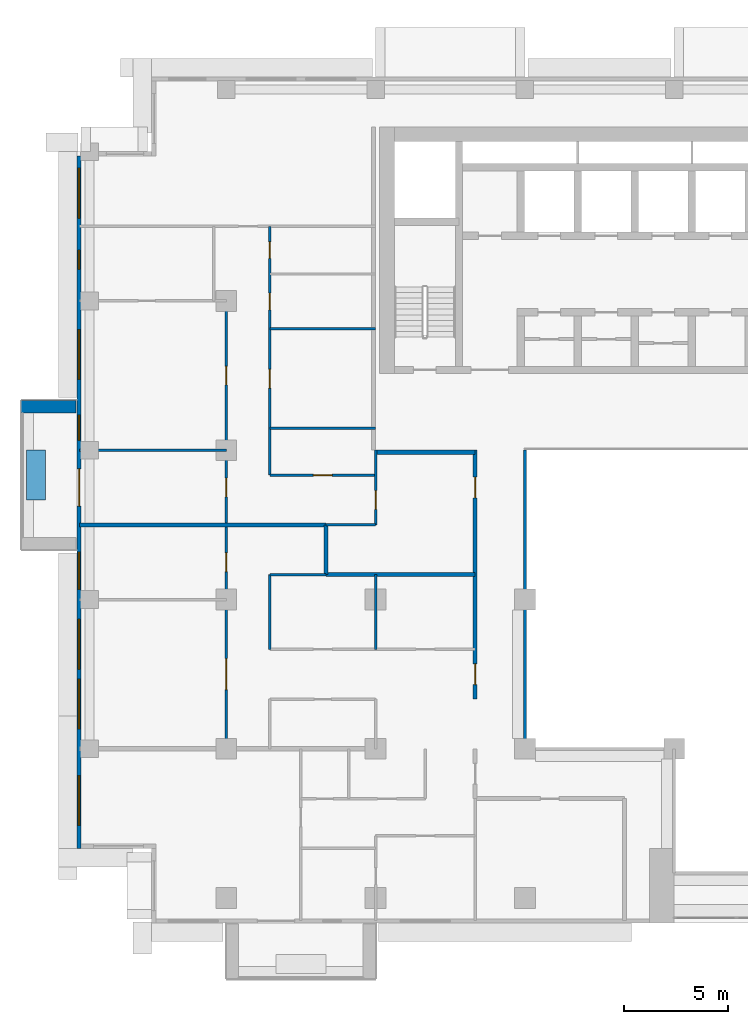
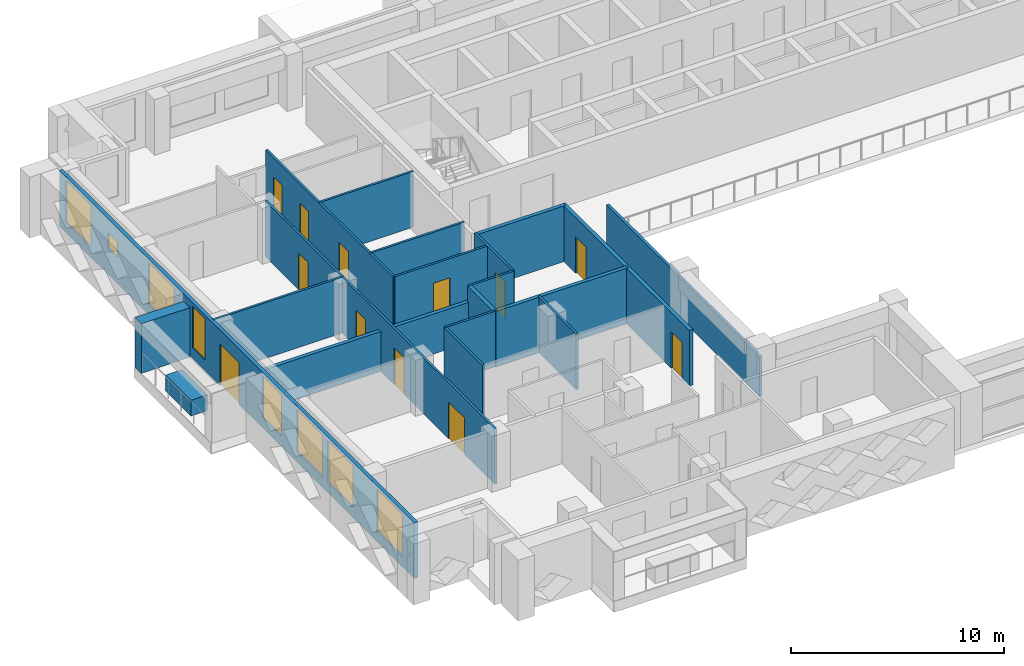
# One storey, part 7 of 19: 20 walls, 12 doors, 8 windows, 20 openings.
"""IFC4 building model written with IfcOpenShell, lengths in metres."""

from ifc_helpers import new_model, si_unit, direction, frame, frame_2d, origin, place, context, subcontext, project, spatial, rectangle, extrude, material, layer, layer_set, type_object, element, fill, save


model = new_model("IFC4")

# Units and contexts
model_context = context("Model", 3, precision=1e-05, world=origin(), true_north=direction((0.0, 1.0)))
body_context = subcontext(model_context, "Body", "Model", "MODEL_VIEW")
ifc_project = project(units=[si_unit("LENGTHUNIT", "METRE"), si_unit("AREAUNIT", "SQUARE_METRE"), si_unit("VOLUMEUNIT", "CUBIC_METRE"), si_unit("PLANEANGLEUNIT", "RADIAN"), si_unit("MASSUNIT", "GRAM", prefix="KILO")], contexts=[model_context])

# Site, building, storey
site_placement = place(None, origin())
site = spatial("IfcSite", under=ifc_project, at=site_placement, CompositionType="ELEMENT")
building_placement = place(site_placement, origin())
building = spatial("IfcBuilding", under=site, at=building_placement, Name="Saffron Iwan Residences", CompositionType="ELEMENT")
storey_placement = place(building_placement, frame((0.0, 0.0, 160.5)))
storey = spatial("IfcBuildingStorey", under=building, at=storey_placement, Name="L42", CompositionType="ELEMENT", Elevation=160.5)

# Walls
ifc_material_1 = material(Name="Fire-rated glazing", Category="glass")
ifc_layer_1 = layer(ifc_material_1, 0.14990234375)
ifc_layer_set_1 = layer_set([ifc_layer_1], Name="Fire-rated glazing")
wall_type_1 = type_object("IfcWallType", Name="Atrium glazed screen 150", PredefinedType="SOLIDWALL", material=ifc_layer_set_1)
wall_1_placement = place(storey_placement, frame((36.0, 48.0, 0.0), z_axis=(0.0, 0.0, 1.0), x_axis=(0.0, 1.0, 0.0)))
element("IfcWall", 1, at=wall_1_placement, inside=storey, type_object=wall_type_1, Name="W-L42-SCREEN-v36-48", PredefinedType="SOLIDWALL", context=body_context, shape_type="SweptSolid", body=[
    extrude(rectangle(XDim=14.39990234375, YDim=0.14990234375, at=frame_2d((7.199951171875, 0.0))), origin(), (0.0, 0.0, 1.0), 2.300048828125),
])
ifc_material_2 = material(Name="Concrete C50/60 white painted", Category="concrete")
ifc_layer_2 = layer(ifc_material_2, 0.60009765625)
ifc_layer_set_2 = layer_set([ifc_layer_2], Name="Concrete C50/60 white painted")
wall_type_2 = type_object("IfcWallType", Name="BALCONY FIN 600", PredefinedType="SOLIDWALL", material=ifc_layer_set_2)
wall_2_placement = place(storey_placement, frame((14.35009765625, 64.5, 0.0), z_axis=(0.0, 0.0, 1.0), x_axis=(-1.0, 0.0, 0.0)))
element("IfcWall", 2, at=wall_2_placement, inside=storey, type_object=wall_type_2, Name="Balcony fin L42 F8-0a", PredefinedType="SOLIDWALL", context=body_context, shape_type="SweptSolid", body=[
    extrude(rectangle(XDim=2.650146484375, YDim=0.60009765625, at=frame_2d((1.3251953125, 0.0))), origin(), (0.0, 0.0, 1.0), 2.85009765625),
])
ifc_material_3 = material(Name="Concrete C35/45 white painted", Category="concrete")
ifc_layer_3 = layer(ifc_material_3, 0.14990234375)
ifc_layer_set_3 = layer_set([ifc_layer_3], Name="Concrete C35/45 white painted")
wall_type_3 = type_object("IfcWallType", Name="BALCONY PLANTER", PredefinedType="SOLIDWALL", material=ifc_layer_set_3)
wall_3_placement = place(storey_placement, frame((12.425048828125, 62.39990234375, 0.0), z_axis=(0.0, 0.0, 1.0), x_axis=(0.0, -1.0, 0.0)))
element("IfcWall", 3, at=wall_3_placement, inside=storey, type_object=wall_type_3, Name="PLANTER L42 F8-0", PredefinedType="SOLIDWALL", context=body_context, shape_type="SweptSolid", body=[
    extrude(rectangle(XDim=2.39990234375, YDim=0.89990234375, at=frame_2d((1.199951171875, 0.0))), origin(), (0.0, 0.0, 1.0), 0.89990234375),
])

# Wall, openings, door, windows
ifc_material_4 = material(Name="Concrete C40/50", Category="concrete")
ifc_layer_4 = layer(ifc_material_4, 0.199951171875)
ifc_layer_set_4 = layer_set([ifc_layer_4], Name="Concrete C40/50")
wall_type_4 = type_object("IfcWallType", Name="EXTERNAL WALL 200", PredefinedType="SOLIDWALL", material=ifc_layer_set_4)
wall_4_placement = place(storey_placement, frame((14.5, 76.60009765625, 0.0), z_axis=(0.0, 0.0, 1.0), x_axis=(0.0, -1.0, 0.0)))
wall_4 = element("IfcWall", 4, at=wall_4_placement, inside=storey, type_object=wall_type_4, Name="External wall L42 F8.0", PredefinedType="SOLIDWALL", context=body_context, shape_type="SweptSolid", body=[
    extrude(rectangle(XDim=33.400146484375, YDim=0.199951171875, at=frame_2d((16.7001953125, 0.0))), origin(), (0.0, 0.0, 1.0), 3.199951171875),
])
opening_1_placement = place(wall_4_placement, frame((15.10009765625, 0.0, 0.0)))
opening_1 = element("IfcOpeningElement", 5, at=opening_1_placement, cuts=wall_4, Name="Opening BD1", PredefinedType="OPENING", context=body_context, shape_type="SweptSolid", body=[
    extrude(rectangle(XDim=1.800048828125, YDim=2.39990234375, at=frame_2d((0.89990234375, 1.199951171875))), frame((0.0, 0.10986328125, 0.0), z_axis=(0.0, -1.0, 0.0), x_axis=(1.0, 0.0, 0.0)), (0.0, 0.0, 1.0), 0.219970703125),
])
opening_2_placement = place(wall_4_placement, frame((29.887451171875, 0.0, 0.60009765625)))
opening_2 = element("IfcOpeningElement", 6, at=opening_2_placement, cuts=wall_4, Name="Opening W1", PredefinedType="OPENING", context=body_context, shape_type="SweptSolid", body=[
    extrude(rectangle(XDim=2.39990234375, YDim=2.39990234375, at=frame_2d((1.199951171875, 1.199951171875))), frame((0.0, 0.10986328125, 0.0), z_axis=(0.0, -1.0, 0.0), x_axis=(1.0, 0.0, 0.0)), (0.0, 0.0, 1.0), 0.219970703125),
])
opening_3_placement = place(wall_4_placement, frame((22.3583984375, 0.0, 0.60009765625)))
opening_3 = element("IfcOpeningElement", 7, at=opening_3_placement, cuts=wall_4, Name="Opening W1", PredefinedType="OPENING", context=body_context, shape_type="SweptSolid", body=[
    extrude(rectangle(XDim=2.39990234375, YDim=2.39990234375, at=frame_2d((1.199951171875, 1.199951171875))), frame((0.0, 0.10986328125, 0.0), z_axis=(0.0, -1.0, 0.0), x_axis=(1.0, 0.0, 0.0)), (0.0, 0.0, 1.0), 0.219970703125),
])
opening_4_placement = place(wall_4_placement, frame((25.24169921875, 0.0, 0.60009765625)))
opening_4 = element("IfcOpeningElement", 8, at=opening_4_placement, cuts=wall_4, Name="Opening W1", PredefinedType="OPENING", context=body_context, shape_type="SweptSolid", body=[
    extrude(rectangle(XDim=2.39990234375, YDim=2.39990234375, at=frame_2d((1.199951171875, 1.199951171875))), frame((0.0, 0.10986328125, 0.0), z_axis=(0.0, -1.0, 0.0), x_axis=(1.0, 0.0, 0.0)), (0.0, 0.0, 1.0), 0.219970703125),
])
opening_5_placement = place(wall_4_placement, frame((19.112548828125, 0.0, 0.60009765625)))
opening_5 = element("IfcOpeningElement", 9, at=opening_5_placement, cuts=wall_4, Name="Opening W8", PredefinedType="OPENING", context=body_context, shape_type="SweptSolid", body=[
    extrude(rectangle(XDim=1.800048828125, YDim=2.39990234375, at=frame_2d((0.89990234375, 1.199951171875))), frame((0.0, 0.10986328125, 0.0), z_axis=(0.0, -1.0, 0.0), x_axis=(1.0, 0.0, 0.0)), (0.0, 0.0, 1.0), 0.219970703125),
])
opening_6_placement = place(wall_4_placement, frame((8.387451171875, 0.0, 0.60009765625)))
opening_6 = element("IfcOpeningElement", 10, at=opening_6_placement, cuts=wall_4, Name="Opening W1", PredefinedType="OPENING", context=body_context, shape_type="SweptSolid", body=[
    extrude(rectangle(XDim=2.39990234375, YDim=2.39990234375, at=frame_2d((1.199951171875, 1.199951171875))), frame((0.0, 0.10986328125, 0.0), z_axis=(0.0, -1.0, 0.0), x_axis=(1.0, 0.0, 0.0)), (0.0, 0.0, 1.0), 0.219970703125),
])
opening_7_placement = place(wall_4_placement, frame((12.512451171875, 0.0, 0.60009765625)))
opening_7 = element("IfcOpeningElement", 11, at=opening_7_placement, cuts=wall_4, Name="Opening W3", PredefinedType="OPENING", context=body_context, shape_type="SweptSolid", body=[
    extrude(rectangle(XDim=1.199951171875, YDim=2.39990234375, at=frame_2d((0.60009765625, 1.199951171875))), frame((0.0, 0.10986328125, 0.0), z_axis=(0.0, -1.0, 0.0), x_axis=(1.0, 0.0, 0.0)), (0.0, 0.0, 1.0), 0.219970703125),
])
opening_8_placement = place(wall_4_placement, frame((4.5625, 0.0, 1.5)))
opening_8 = element("IfcOpeningElement", 12, at=opening_8_placement, cuts=wall_4, Name="Opening W6", PredefinedType="OPENING", context=body_context, shape_type="SweptSolid", body=[
    extrude(rectangle(XDim=0.89990234375, YDim=0.89990234375, at=frame_2d((0.449951171875, 0.449951171875))), frame((0.0, 0.10986328125, 0.0), z_axis=(0.0, -1.0, 0.0), x_axis=(1.0, 0.0, 0.0)), (0.0, 0.0, 1.0), 0.219970703125),
])
opening_9_placement = place(wall_4_placement, frame((0.60009765625, 0.0, 0.60009765625)))
opening_9 = element("IfcOpeningElement", 13, at=opening_9_placement, cuts=wall_4, Name="Opening W1", PredefinedType="OPENING", context=body_context, shape_type="SweptSolid", body=[
    extrude(rectangle(XDim=2.39990234375, YDim=2.39990234375, at=frame_2d((1.199951171875, 1.199951171875))), frame((0.0, 0.10986328125, 0.0), z_axis=(0.0, -1.0, 0.0), x_axis=(1.0, 0.0, 0.0)), (0.0, 0.0, 1.0), 0.219970703125),
])
ifc_material_5 = material(Name="Clear glass, laminated double glazed", Category="glass")
door_type_1 = type_object("IfcDoorType", Name="BALCONY DOOR 1800 x 2400", OperationType="DOUBLE_DOOR_SLIDING", PredefinedType="DOOR", material=ifc_material_5)
door_1_placement = place(opening_1_placement, origin())
door_1 = element("IfcDoor", 14, at=door_1_placement, inside=storey, type_object=door_type_1, Name="Balcony door L42 F8.0", OperationType="DOUBLE_DOOR_SLIDING", OverallHeight=2.39990234375, OverallWidth=1.800048828125, PredefinedType="DOOR", context=body_context, shape_type="SweptSolid", body=[
    extrude(rectangle(XDim=1.800048828125, YDim=2.39990234375, at=frame_2d((0.89990234375, 1.199951171875))), frame((0.0, 0.02490234375, 0.0), z_axis=(0.0, -1.0, 0.0), x_axis=(1.0, 0.0, 0.0)), (0.0, 0.0, 1.0), 0.050048828125),
])
fill(opening_1, door_1)
window_type_1 = type_object("IfcWindowType", Name="WINDOW 1200 x 2400", PartitioningType="SINGLE_PANEL", PredefinedType="WINDOW", material=ifc_material_5)
window_1_placement = place(opening_7_placement, origin())
window_1 = element("IfcWindow", 15, at=window_1_placement, inside=storey, type_object=window_type_1, Name="Window L42 F8.6", OverallHeight=2.39990234375, OverallWidth=1.199951171875, PartitioningType="SINGLE_PANEL", PredefinedType="WINDOW", context=body_context, shape_type="SweptSolid", body=[
    extrude(rectangle(XDim=1.199951171875, YDim=2.39990234375, at=frame_2d((0.60009765625, 1.199951171875))), frame((0.0, 0.030029296875, 0.0), z_axis=(0.0, -1.0, 0.0), x_axis=(1.0, 0.0, 0.0)), (0.0, 0.0, 1.0), 0.06005859375),
])
fill(opening_7, window_1)
window_type_2 = type_object("IfcWindowType", Name="WINDOW 1800 x 2400", PartitioningType="DOUBLE_PANEL_VERTICAL", PredefinedType="WINDOW", material=ifc_material_5)
window_2_placement = place(opening_5_placement, origin())
window_2 = element("IfcWindow", 16, at=window_2_placement, inside=storey, type_object=window_type_2, Name="Window L42 F8.4", OverallHeight=2.39990234375, OverallWidth=1.800048828125, PartitioningType="DOUBLE_PANEL_VERTICAL", PredefinedType="WINDOW", context=body_context, shape_type="SweptSolid", body=[
    extrude(rectangle(XDim=1.800048828125, YDim=2.39990234375, at=frame_2d((0.89990234375, 1.199951171875))), frame((0.0, 0.030029296875, 0.0), z_axis=(0.0, -1.0, 0.0), x_axis=(1.0, 0.0, 0.0)), (0.0, 0.0, 1.0), 0.06005859375),
])
fill(opening_5, window_2)
window_type_3 = type_object("IfcWindowType", Name="WINDOW 2400 x 2400", PartitioningType="DOUBLE_PANEL_VERTICAL", PredefinedType="WINDOW", material=ifc_material_5)
window_3_placement = place(opening_2_placement, origin())
window_3 = element("IfcWindow", 17, at=window_3_placement, inside=storey, type_object=window_type_3, Name="Window L42 F8.1", OverallHeight=2.39990234375, OverallWidth=2.39990234375, PartitioningType="DOUBLE_PANEL_VERTICAL", PredefinedType="WINDOW", context=body_context, shape_type="SweptSolid", body=[
    extrude(rectangle(XDim=2.39990234375, YDim=2.39990234375, at=frame_2d((1.199951171875, 1.199951171875))), frame((0.0, 0.030029296875, 0.0), z_axis=(0.0, -1.0, 0.0), x_axis=(1.0, 0.0, 0.0)), (0.0, 0.0, 1.0), 0.06005859375),
])
fill(opening_2, window_3)
window_4_placement = place(opening_3_placement, origin())
window_4 = element("IfcWindow", 18, at=window_4_placement, inside=storey, type_object=window_type_3, Name="Window L42 F8.2", OverallHeight=2.39990234375, OverallWidth=2.39990234375, PartitioningType="DOUBLE_PANEL_VERTICAL", PredefinedType="WINDOW", context=body_context, shape_type="SweptSolid", body=[
    extrude(rectangle(XDim=2.39990234375, YDim=2.39990234375, at=frame_2d((1.199951171875, 1.199951171875))), frame((0.0, 0.030029296875, 0.0), z_axis=(0.0, -1.0, 0.0), x_axis=(1.0, 0.0, 0.0)), (0.0, 0.0, 1.0), 0.06005859375),
])
fill(opening_3, window_4)
window_5_placement = place(opening_4_placement, origin())
window_5 = element("IfcWindow", 19, at=window_5_placement, inside=storey, type_object=window_type_3, Name="Window L42 F8.3", OverallHeight=2.39990234375, OverallWidth=2.39990234375, PartitioningType="DOUBLE_PANEL_VERTICAL", PredefinedType="WINDOW", context=body_context, shape_type="SweptSolid", body=[
    extrude(rectangle(XDim=2.39990234375, YDim=2.39990234375, at=frame_2d((1.199951171875, 1.199951171875))), frame((0.0, 0.030029296875, 0.0), z_axis=(0.0, -1.0, 0.0), x_axis=(1.0, 0.0, 0.0)), (0.0, 0.0, 1.0), 0.06005859375),
])
fill(opening_4, window_5)
window_6_placement = place(opening_6_placement, origin())
window_6 = element("IfcWindow", 20, at=window_6_placement, inside=storey, type_object=window_type_3, Name="Window L42 F8.5", OverallHeight=2.39990234375, OverallWidth=2.39990234375, PartitioningType="DOUBLE_PANEL_VERTICAL", PredefinedType="WINDOW", context=body_context, shape_type="SweptSolid", body=[
    extrude(rectangle(XDim=2.39990234375, YDim=2.39990234375, at=frame_2d((1.199951171875, 1.199951171875))), frame((0.0, 0.030029296875, 0.0), z_axis=(0.0, -1.0, 0.0), x_axis=(1.0, 0.0, 0.0)), (0.0, 0.0, 1.0), 0.06005859375),
])
fill(opening_6, window_6)
window_7_placement = place(opening_9_placement, origin())
window_7 = element("IfcWindow", 21, at=window_7_placement, inside=storey, type_object=window_type_3, Name="Window L42 F8.8", OverallHeight=2.39990234375, OverallWidth=2.39990234375, PartitioningType="DOUBLE_PANEL_VERTICAL", PredefinedType="WINDOW", context=body_context, shape_type="SweptSolid", body=[
    extrude(rectangle(XDim=2.39990234375, YDim=2.39990234375, at=frame_2d((1.199951171875, 1.199951171875))), frame((0.0, 0.030029296875, 0.0), z_axis=(0.0, -1.0, 0.0), x_axis=(1.0, 0.0, 0.0)), (0.0, 0.0, 1.0), 0.06005859375),
])
fill(opening_9, window_7)
window_type_4 = type_object("IfcWindowType", Name="WINDOW 900 x 900 BATH", PartitioningType="SINGLE_PANEL", PredefinedType="WINDOW", material=ifc_material_5)
window_8_placement = place(opening_8_placement, origin())
window_8 = element("IfcWindow", 22, at=window_8_placement, inside=storey, type_object=window_type_4, Name="Window L42 F8.7", OverallHeight=0.89990234375, OverallWidth=0.89990234375, PartitioningType="SINGLE_PANEL", PredefinedType="WINDOW", context=body_context, shape_type="SweptSolid", body=[
    extrude(rectangle(XDim=0.89990234375, YDim=0.89990234375, at=frame_2d((0.449951171875, 0.449951171875))), frame((0.0, 0.030029296875, 0.0), z_axis=(0.0, -1.0, 0.0), x_axis=(1.0, 0.0, 0.0)), (0.0, 0.0, 1.0), 0.06005859375),
])
fill(opening_8, window_8)

# Walls
ifc_material_6 = material(Name="Fire-rated gypsum board wall")
ifc_layer_5 = layer(ifc_material_6, 0.199951171875)
ifc_layer_set_5 = layer_set([ifc_layer_5], Name="Fire-rated gypsum board wall")
wall_type_5 = type_object("IfcWallType", Name="Flat demising wall 200", PredefinedType="SOLIDWALL", material=ifc_layer_set_5)
wall_5_placement = place(storey_placement, frame((26.39990234375, 56.39990234375, 0.0), z_axis=(0.0, 0.0, 1.0), x_axis=(1.0, 0.0, 0.0)))
element("IfcWall", 23, at=wall_5_placement, inside=storey, type_object=wall_type_5, Name="W-L42-DEMISE-h56.4-26.4", PredefinedType="SOLIDWALL", context=body_context, shape_type="SweptSolid", body=[
    extrude(rectangle(XDim=7.2001953125, YDim=0.199951171875, at=frame_2d((3.60009765625, 0.0))), origin(), (0.0, 0.0, 1.0), 3.199951171875),
])
wall_6_placement = place(storey_placement, frame((14.52490234375, 58.800048828125, 0.0), z_axis=(0.0, 0.0, 1.0), x_axis=(1.0, 0.0, 0.0)))
element("IfcWall", 24, at=wall_6_placement, inside=storey, type_object=wall_type_5, Name="W-L42-DEMISE-h58.8-14.525", PredefinedType="SOLIDWALL", context=body_context, shape_type="SweptSolid", body=[
    extrude(rectangle(XDim=11.875, YDim=0.199951171875, at=frame_2d((5.9375, 0.0))), origin(), (0.0, 0.0, 1.0), 2.300048828125),
])
wall_7_placement = place(storey_placement, frame((26.39990234375, 56.39990234375, 0.0), z_axis=(0.0, 0.0, 1.0), x_axis=(0.0, 1.0, 0.0)))
element("IfcWall", 25, at=wall_7_placement, inside=storey, type_object=wall_type_5, Name="W-L42-DEMISE-v26.4-56.4", PredefinedType="SOLIDWALL", context=body_context, shape_type="SweptSolid", body=[
    extrude(rectangle(XDim=2.400146484375, YDim=0.199951171875, at=frame_2d((1.2001953125, 0.0))), origin(), (0.0, 0.0, 1.0), 3.199951171875),
])
ifc_material_7 = material(Name="Gypsum board partition")
ifc_layer_6 = layer(ifc_material_7, 0.1201171875)
ifc_layer_set_6 = layer_set([ifc_layer_6], Name="Gypsum board partition")
wall_type_6 = type_object("IfcWallType", Name="Flat partition 120", PredefinedType="PARTITIONING", material=ifc_layer_set_6)
wall_8_placement = place(storey_placement, frame((23.699951171875, 56.39990234375, 0.0), z_axis=(0.0, 0.0, 1.0), x_axis=(1.0, 0.0, 0.0)))
element("IfcWall", 26, at=wall_8_placement, inside=storey, type_object=wall_type_6, Name="W-L42-PART-h56.4-23.7", PredefinedType="PARTITIONING", context=body_context, shape_type="SweptSolid", body=[
    extrude(rectangle(XDim=2.699951171875, YDim=0.1201171875, at=frame_2d((1.35009765625, 0.0))), origin(), (0.0, 0.0, 1.0), 3.199951171875),
])
wall_9_placement = place(storey_placement, frame((26.39990234375, 58.800048828125, 0.0), z_axis=(0.0, 0.0, 1.0), x_axis=(1.0, 0.0, 0.0)))
element("IfcWall", 27, at=wall_9_placement, inside=storey, type_object=wall_type_6, Name="W-L42-PART-h58.8-26.4", PredefinedType="PARTITIONING", context=body_context, shape_type="SweptSolid", body=[
    extrude(rectangle(XDim=2.400146484375, YDim=0.1201171875, at=frame_2d((1.2001953125, 0.0))), origin(), (0.0, 0.0, 1.0), 3.199951171875),
])

# Wall, opening, door
wall_10_placement = place(storey_placement, frame((23.699951171875, 61.199951171875, 0.0), z_axis=(0.0, 0.0, 1.0), x_axis=(1.0, 0.0, 0.0)))
wall_10 = element("IfcWall", 28, at=wall_10_placement, inside=storey, type_object=wall_type_6, Name="W-L42-PART-h61.2-23.7", PredefinedType="PARTITIONING", context=body_context, shape_type="SweptSolid", body=[
    extrude(rectangle(XDim=5.10009765625, YDim=0.1201171875, at=frame_2d((2.550048828125, 0.0))), origin(), (0.0, 0.0, 1.0), 3.199951171875),
])
opening_10_placement = place(wall_10_placement, frame((2.10009765625, 0.0, 0.0)))
opening_10 = element("IfcOpeningElement", 29, at=opening_10_placement, cuts=wall_10, Name="Opening FD2", PredefinedType="OPENING", context=body_context, shape_type="SweptSolid", body=[
    extrude(rectangle(XDim=0.89990234375, YDim=2.10009765625, at=frame_2d((0.449951171875, 1.050048828125))), frame((0.0, 0.070068359375, 0.0), z_axis=(0.0, -1.0, 0.0), x_axis=(1.0, 0.0, 0.0)), (0.0, 0.0, 1.0), 0.14013671875),
])
ifc_material_8 = material(Name="Timber door", Category="wood")
door_type_2 = type_object("IfcDoorType", Name="Flat door 900", OperationType="NOTDEFINED", PredefinedType="DOOR", material=ifc_material_8)
door_2_placement = place(opening_10_placement, origin())
door_2 = element("IfcDoor", 30, at=door_2_placement, inside=storey, type_object=door_type_2, Name="Door L42-027", OperationType="SINGLE_SWING_LEFT", OverallHeight=2.10009765625, OverallWidth=0.89990234375, PredefinedType="DOOR", context=body_context, shape_type="SweptSolid", body=[
    extrude(rectangle(XDim=0.89990234375, YDim=2.10009765625, at=frame_2d((0.449951171875, 1.050048828125))), frame((0.0, 0.02490234375, 0.0), z_axis=(0.0, -1.0, 0.0), x_axis=(1.0, 0.0, 0.0)), (0.0, 0.0, 1.0), 0.050048828125),
])
fill(opening_10, door_2)

# Walls
wall_11_placement = place(storey_placement, frame((14.52490234375, 62.39990234375, 0.0), z_axis=(0.0, 0.0, 1.0), x_axis=(1.0, 0.0, 0.0)))
element("IfcWall", 31, at=wall_11_placement, inside=storey, type_object=wall_type_6, Name="W-L42-PART-h62.4-14.525", PredefinedType="PARTITIONING", context=body_context, shape_type="SweptSolid", body=[
    extrude(rectangle(XDim=7.0751953125, YDim=0.1201171875, at=frame_2d((3.53759765625, 0.0))), origin(), (0.0, 0.0, 1.0), 3.199951171875),
])
for number, where, z_axis, x_axis, name in (
    (32, (23.699951171875, 63.449951171875, 0.0), (0.0, 0.0, 1.0), (1.0, 0.0, 0.0), "W-L42-PART-h63.45-23.7"),
    (33, (23.699951171875, 68.25, 0.0), (0.0, 0.0, 1.0), (1.0, 0.0, 0.0), "W-L42-PART-h68.25-23.7"),
):
    element("IfcWall", number, at=place(storey_placement, frame(where, z_axis=z_axis, x_axis=x_axis)), inside=storey, type_object=wall_type_6, Name=name, PredefinedType="PARTITIONING", context=body_context, shape_type="SweptSolid", body=[
        extrude(rectangle(XDim=5.10009765625, YDim=0.1201171875, at=frame_2d((2.550048828125, 0.0))), origin(), (0.0, 0.0, 1.0), 3.199951171875),
    ])

# Wall, openings, doors
wall_12_placement = place(storey_placement, frame((21.60009765625, 48.0, 0.0), z_axis=(0.0, 0.0, 1.0), x_axis=(0.0, 1.0, 0.0)))
wall_12 = element("IfcWall", 34, at=wall_12_placement, inside=storey, type_object=wall_type_6, Name="W-L42-PART-v21.6-48", PredefinedType="PARTITIONING", context=body_context, shape_type="SweptSolid", body=[
    extrude(rectangle(XDim=21.60009765625, YDim=0.1201171875, at=frame_2d((10.800048828125, 0.0))), origin(), (0.0, 0.0, 1.0), 3.199951171875),
])
opening_11_placement = place(wall_12_placement, frame((2.85009765625, 0.0, 0.0)))
opening_11 = element("IfcOpeningElement", 35, at=opening_11_placement, cuts=wall_12, Name="Opening FD4", PredefinedType="OPENING", context=body_context, shape_type="SweptSolid", body=[
    extrude(rectangle(XDim=1.5, YDim=2.10009765625, at=frame_2d((0.75, 1.050048828125))), frame((0.0, 0.070068359375, 0.0), z_axis=(0.0, -1.0, 0.0), x_axis=(1.0, 0.0, 0.0)), (0.0, 0.0, 1.0), 0.14013671875),
])
opening_12_placement = place(wall_12_placement, frame((8.550048828125, 0.0, 0.0)))
opening_12 = element("IfcOpeningElement", 36, at=opening_12_placement, cuts=wall_12, Name="Opening FD2", PredefinedType="OPENING", context=body_context, shape_type="SweptSolid", body=[
    extrude(rectangle(XDim=0.89990234375, YDim=2.10009765625, at=frame_2d((0.449951171875, 1.050048828125))), frame((0.0, 0.070068359375, 0.0), z_axis=(0.0, -1.0, 0.0), x_axis=(1.0, 0.0, 0.0)), (0.0, 0.0, 1.0), 0.14013671875),
])
opening_13_placement = place(wall_12_placement, frame((12.14990234375, 0.0, 0.0)))
opening_13 = element("IfcOpeningElement", 37, at=opening_13_placement, cuts=wall_12, Name="Opening FD2", PredefinedType="OPENING", context=body_context, shape_type="SweptSolid", body=[
    extrude(rectangle(XDim=0.89990234375, YDim=2.10009765625, at=frame_2d((0.449951171875, 1.050048828125))), frame((0.0, 0.070068359375, 0.0), z_axis=(0.0, -1.0, 0.0), x_axis=(1.0, 0.0, 0.0)), (0.0, 0.0, 1.0), 0.14013671875),
])
opening_14_placement = place(wall_12_placement, frame((17.550048828125, 0.0, 0.0)))
opening_14 = element("IfcOpeningElement", 38, at=opening_14_placement, cuts=wall_12, Name="Opening FD2", PredefinedType="OPENING", context=body_context, shape_type="SweptSolid", body=[
    extrude(rectangle(XDim=0.89990234375, YDim=2.10009765625, at=frame_2d((0.449951171875, 1.050048828125))), frame((0.0, 0.070068359375, 0.0), z_axis=(0.0, -1.0, 0.0), x_axis=(1.0, 0.0, 0.0)), (0.0, 0.0, 1.0), 0.14013671875),
])
door_type_3 = type_object("IfcDoorType", Name="Double door 1500", OperationType="NOTDEFINED", PredefinedType="DOOR", material=ifc_material_8)
door_3_placement = place(opening_11_placement, origin())
door_3 = element("IfcDoor", 39, at=door_3_placement, inside=storey, type_object=door_type_3, Name="Door L42-009", OperationType="SINGLE_SWING_LEFT", OverallHeight=2.10009765625, OverallWidth=1.5, PredefinedType="DOOR", context=body_context, shape_type="SweptSolid", body=[
    extrude(rectangle(XDim=1.5, YDim=2.10009765625, at=frame_2d((0.75, 1.050048828125))), frame((0.0, 0.02490234375, 0.0), z_axis=(0.0, -1.0, 0.0), x_axis=(1.0, 0.0, 0.0)), (0.0, 0.0, 1.0), 0.050048828125),
])
fill(opening_11, door_3)
door_4_placement = place(opening_12_placement, origin())
door_4 = element("IfcDoor", 40, at=door_4_placement, inside=storey, type_object=door_type_2, Name="Door L42-010", OperationType="SINGLE_SWING_RIGHT", OverallHeight=2.10009765625, OverallWidth=0.89990234375, PredefinedType="DOOR", context=body_context, shape_type="SweptSolid", body=[
    extrude(rectangle(XDim=0.89990234375, YDim=2.10009765625, at=frame_2d((0.449951171875, 1.050048828125))), frame((0.0, 0.02490234375, 0.0), z_axis=(0.0, -1.0, 0.0), x_axis=(1.0, 0.0, 0.0)), (0.0, 0.0, 1.0), 0.050048828125),
])
fill(opening_12, door_4)
door_5_placement = place(opening_13_placement, origin())
door_5 = element("IfcDoor", 41, at=door_5_placement, inside=storey, type_object=door_type_2, Name="Door L42-023", OperationType="SINGLE_SWING_LEFT", OverallHeight=2.10009765625, OverallWidth=0.89990234375, PredefinedType="DOOR", context=body_context, shape_type="SweptSolid", body=[
    extrude(rectangle(XDim=0.89990234375, YDim=2.10009765625, at=frame_2d((0.449951171875, 1.050048828125))), frame((0.0, 0.02490234375, 0.0), z_axis=(0.0, -1.0, 0.0), x_axis=(1.0, 0.0, 0.0)), (0.0, 0.0, 1.0), 0.050048828125),
])
fill(opening_13, door_5)
door_6_placement = place(opening_14_placement, origin())
door_6 = element("IfcDoor", 42, at=door_6_placement, inside=storey, type_object=door_type_2, Name="Door L42-024", OperationType="SINGLE_SWING_LEFT", OverallHeight=2.10009765625, OverallWidth=0.89990234375, PredefinedType="DOOR", context=body_context, shape_type="SweptSolid", body=[
    extrude(rectangle(XDim=0.89990234375, YDim=2.10009765625, at=frame_2d((0.449951171875, 1.050048828125))), frame((0.0, 0.02490234375, 0.0), z_axis=(0.0, -1.0, 0.0), x_axis=(1.0, 0.0, 0.0)), (0.0, 0.0, 1.0), 0.050048828125),
])
fill(opening_14, door_6)

# Wall
wall_13_placement = place(storey_placement, frame((23.699951171875, 52.800048828125, 0.0), z_axis=(0.0, 0.0, 1.0), x_axis=(0.0, 1.0, 0.0)))
element("IfcWall", 43, at=wall_13_placement, inside=storey, type_object=wall_type_6, Name="W-L42-PART-v23.7-52.8", PredefinedType="PARTITIONING", context=body_context, shape_type="SweptSolid", body=[
    extrude(rectangle(XDim=3.599853515625, YDim=0.1201171875, at=frame_2d((1.7998046875, 0.0))), origin(), (0.0, 0.0, 1.0), 3.199951171875),
])

# Wall, openings, doors
wall_14_placement = place(storey_placement, frame((23.699951171875, 61.199951171875, 0.0), z_axis=(0.0, 0.0, 1.0), x_axis=(0.0, 1.0, 0.0)))
wall_14 = element("IfcWall", 44, at=wall_14_placement, inside=storey, type_object=wall_type_6, Name="W-L42-PART-v23.7-61.2", PredefinedType="PARTITIONING", context=body_context, shape_type="SweptSolid", body=[
    extrude(rectangle(XDim=12.0, YDim=0.1201171875, at=frame_2d((6.0, 0.0))), origin(), (0.0, 0.0, 1.0), 3.199951171875),
])
opening_15_placement = place(wall_14_placement, frame((4.199951171875, 0.0, 0.0)))
opening_15 = element("IfcOpeningElement", 45, at=opening_15_placement, cuts=wall_14, Name="Opening FD2", PredefinedType="OPENING", context=body_context, shape_type="SweptSolid", body=[
    extrude(rectangle(XDim=0.89990234375, YDim=2.10009765625, at=frame_2d((0.449951171875, 1.050048828125))), frame((0.0, 0.070068359375, 0.0), z_axis=(0.0, -1.0, 0.0), x_axis=(1.0, 0.0, 0.0)), (0.0, 0.0, 1.0), 0.14013671875),
])
opening_16_placement = place(wall_14_placement, frame((7.97509765625, 0.0, 0.0)))
opening_16 = element("IfcOpeningElement", 46, at=opening_16_placement, cuts=wall_14, Name="Opening FD3", PredefinedType="OPENING", context=body_context, shape_type="SweptSolid", body=[
    extrude(rectangle(XDim=0.800048828125, YDim=2.10009765625, at=frame_2d((0.39990234375, 1.050048828125))), frame((0.0, 0.070068359375, 0.0), z_axis=(0.0, -1.0, 0.0), x_axis=(1.0, 0.0, 0.0)), (0.0, 0.0, 1.0), 0.14013671875),
])
opening_17_placement = place(wall_14_placement, frame((10.449951171875, 0.0, 0.0)))
opening_17 = element("IfcOpeningElement", 47, at=opening_17_placement, cuts=wall_14, Name="Opening FD3", PredefinedType="OPENING", context=body_context, shape_type="SweptSolid", body=[
    extrude(rectangle(XDim=0.800048828125, YDim=2.10009765625, at=frame_2d((0.39990234375, 1.050048828125))), frame((0.0, 0.070068359375, 0.0), z_axis=(0.0, -1.0, 0.0), x_axis=(1.0, 0.0, 0.0)), (0.0, 0.0, 1.0), 0.14013671875),
])
door_type_4 = type_object("IfcDoorType", Name="Bathroom door 800", OperationType="NOTDEFINED", PredefinedType="DOOR", material=ifc_material_8)
door_7_placement = place(opening_16_placement, origin())
door_7 = element("IfcDoor", 48, at=door_7_placement, inside=storey, type_object=door_type_4, Name="Door L42-029", OperationType="SINGLE_SWING_LEFT", OverallHeight=2.10009765625, OverallWidth=0.800048828125, PredefinedType="DOOR", context=body_context, shape_type="SweptSolid", body=[
    extrude(rectangle(XDim=0.800048828125, YDim=2.10009765625, at=frame_2d((0.39990234375, 1.050048828125))), frame((0.0, 0.02490234375, 0.0), z_axis=(0.0, -1.0, 0.0), x_axis=(1.0, 0.0, 0.0)), (0.0, 0.0, 1.0), 0.050048828125),
])
fill(opening_16, door_7)
door_8_placement = place(opening_17_placement, origin())
door_8 = element("IfcDoor", 49, at=door_8_placement, inside=storey, type_object=door_type_4, Name="Door L42-030", OperationType="SINGLE_SWING_LEFT", OverallHeight=2.10009765625, OverallWidth=0.800048828125, PredefinedType="DOOR", context=body_context, shape_type="SweptSolid", body=[
    extrude(rectangle(XDim=0.800048828125, YDim=2.10009765625, at=frame_2d((0.39990234375, 1.050048828125))), frame((0.0, 0.02490234375, 0.0), z_axis=(0.0, -1.0, 0.0), x_axis=(1.0, 0.0, 0.0)), (0.0, 0.0, 1.0), 0.050048828125),
])
fill(opening_17, door_8)
door_9_placement = place(opening_15_placement, origin())
door_9 = element("IfcDoor", 50, at=door_9_placement, inside=storey, type_object=door_type_2, Name="Door L42-028", OperationType="SINGLE_SWING_RIGHT", OverallHeight=2.10009765625, OverallWidth=0.89990234375, PredefinedType="DOOR", context=body_context, shape_type="SweptSolid", body=[
    extrude(rectangle(XDim=0.89990234375, YDim=2.10009765625, at=frame_2d((0.449951171875, 1.050048828125))), frame((0.0, 0.02490234375, 0.0), z_axis=(0.0, -1.0, 0.0), x_axis=(1.0, 0.0, 0.0)), (0.0, 0.0, 1.0), 0.050048828125),
])
fill(opening_15, door_9)

# Wall
wall_15_placement = place(storey_placement, frame((28.800048828125, 52.800048828125, 0.0), z_axis=(0.0, 0.0, 1.0), x_axis=(0.0, 1.0, 0.0)))
element("IfcWall", 51, at=wall_15_placement, inside=storey, type_object=wall_type_6, Name="W-L42-PART-v28.8-52.8", PredefinedType="PARTITIONING", context=body_context, shape_type="SweptSolid", body=[
    extrude(rectangle(XDim=3.599853515625, YDim=0.1201171875, at=frame_2d((1.7998046875, 0.0))), origin(), (0.0, 0.0, 1.0), 3.199951171875),
])

# Wall, opening, door
wall_16_placement = place(storey_placement, frame((28.800048828125, 58.800048828125, 0.0), z_axis=(0.0, 0.0, 1.0), x_axis=(0.0, 1.0, 0.0)))
wall_16 = element("IfcWall", 52, at=wall_16_placement, inside=storey, type_object=wall_type_6, Name="W-L42-PART-v28.8-58.8", PredefinedType="PARTITIONING", context=body_context, shape_type="SweptSolid", body=[
    extrude(rectangle(XDim=3.599853515625, YDim=0.1201171875, at=frame_2d((1.7998046875, 0.0))), origin(), (0.0, 0.0, 1.0), 3.199951171875),
])
opening_18_placement = place(wall_16_placement, frame((0.75, 0.0, 0.0)))
opening_18 = element("IfcOpeningElement", 53, at=opening_18_placement, cuts=wall_16, Name="Opening FD2", PredefinedType="OPENING", context=body_context, shape_type="SweptSolid", body=[
    extrude(rectangle(XDim=0.89990234375, YDim=2.10009765625, at=frame_2d((0.449951171875, 1.050048828125))), frame((0.0, 0.070068359375, 0.0), z_axis=(0.0, -1.0, 0.0), x_axis=(1.0, 0.0, 0.0)), (0.0, 0.0, 1.0), 0.14013671875),
])
door_10_placement = place(opening_18_placement, origin())
door_10 = element("IfcDoor", 54, at=door_10_placement, inside=storey, type_object=door_type_2, Name="Door L42-021", OperationType="SINGLE_SWING_LEFT", OverallHeight=2.10009765625, OverallWidth=0.89990234375, PredefinedType="DOOR", context=body_context, shape_type="SweptSolid", body=[
    extrude(rectangle(XDim=0.89990234375, YDim=2.10009765625, at=frame_2d((0.449951171875, 1.050048828125))), frame((0.0, 0.02490234375, 0.0), z_axis=(0.0, -1.0, 0.0), x_axis=(1.0, 0.0, 0.0)), (0.0, 0.0, 1.0), 0.050048828125),
])
fill(opening_18, door_10)

# Wall
ifc_layer_7 = layer(ifc_material_6, 0.199951171875)
ifc_layer_set_7 = layer_set([ifc_layer_7], Name="Fire-rated gypsum board wall")
wall_type_7 = type_object("IfcWallType", Name="Gallery wall 200", PredefinedType="SOLIDWALL", material=ifc_layer_set_7)
wall_17_placement = place(storey_placement, frame((28.800048828125, 62.300048828125, 0.0), z_axis=(0.0, 0.0, 1.0), x_axis=(1.0, 0.0, 0.0)))
element("IfcWall", 55, at=wall_17_placement, inside=storey, type_object=wall_type_7, Name="W-L42-CORR-h62.4-28.8", PredefinedType="SOLIDWALL", context=body_context, shape_type="SweptSolid", body=[
    extrude(rectangle(XDim=4.800048828125, YDim=0.199951171875, at=frame_2d((2.39990234375, 0.0))), origin(), (0.0, 0.0, 1.0), 3.199951171875),
])

# Wall, openings, doors
wall_18_placement = place(storey_placement, frame((33.60009765625, 50.39990234375, 0.0), z_axis=(0.0, 0.0, 1.0), x_axis=(0.0, 1.0, 0.0)))
wall_18 = element("IfcWall", 56, at=wall_18_placement, inside=storey, type_object=wall_type_7, Name="W-L42-CORR-v33.6-50.4", PredefinedType="SOLIDWALL", context=body_context, shape_type="SweptSolid", body=[
    extrude(rectangle(XDim=12.0, YDim=0.199951171875, at=frame_2d((6.0, 0.0))), origin(), (0.0, 0.0, 1.0), 3.199951171875),
])
opening_19_placement = place(wall_18_placement, frame((0.699951171875, 0.0, 0.0)))
opening_19 = element("IfcOpeningElement", 57, at=opening_19_placement, cuts=wall_18, Name="Opening FD1", PredefinedType="OPENING", context=body_context, shape_type="SweptSolid", body=[
    extrude(rectangle(XDim=1.0, YDim=2.10009765625, at=frame_2d((0.5, 1.050048828125))), frame((0.0, 0.10986328125, 0.0), z_axis=(0.0, -1.0, 0.0), x_axis=(1.0, 0.0, 0.0)), (0.0, 0.0, 1.0), 0.219970703125),
])
opening_20_placement = place(wall_18_placement, frame((9.699951171875, 0.0, 0.0)))
opening_20 = element("IfcOpeningElement", 58, at=opening_20_placement, cuts=wall_18, Name="Opening FD5", PredefinedType="OPENING", context=body_context, shape_type="SweptSolid", body=[
    extrude(rectangle(XDim=1.0, YDim=2.10009765625, at=frame_2d((0.5, 1.050048828125))), frame((0.0, 0.10986328125, 0.0), z_axis=(0.0, -1.0, 0.0), x_axis=(1.0, 0.0, 0.0)), (0.0, 0.0, 1.0), 0.219970703125),
])
ifc_material_9 = material(Name="Fire-rated timber door", Category="wood")
door_type_5 = type_object("IfcDoorType", Name="FD30S flat entrance door 1000", OperationType="NOTDEFINED", PredefinedType="DOOR", material=ifc_material_9)
door_11_placement = place(opening_19_placement, origin())
door_11 = element("IfcDoor", 59, at=door_11_placement, inside=storey, type_object=door_type_5, Name="Door L42-008", OperationType="SINGLE_SWING_LEFT", OverallHeight=2.10009765625, OverallWidth=1.0, PredefinedType="DOOR", context=body_context, shape_type="SweptSolid", body=[
    extrude(rectangle(XDim=1.0, YDim=2.10009765625, at=frame_2d((0.5, 1.050048828125))), frame((0.0, 0.02490234375, 0.0), z_axis=(0.0, -1.0, 0.0), x_axis=(1.0, 0.0, 0.0)), (0.0, 0.0, 1.0), 0.050048828125),
])
fill(opening_19, door_11)
door_type_6 = type_object("IfcDoorType", Name="Lobby door 1000", OperationType="NOTDEFINED", PredefinedType="DOOR", material=ifc_material_9)
door_12_placement = place(opening_20_placement, origin())
door_12 = element("IfcDoor", 60, at=door_12_placement, inside=storey, type_object=door_type_6, Name="Door L42-022", OperationType="SINGLE_SWING_RIGHT", OverallHeight=2.10009765625, OverallWidth=1.0, PredefinedType="DOOR", context=body_context, shape_type="SweptSolid", body=[
    extrude(rectangle(XDim=1.0, YDim=2.10009765625, at=frame_2d((0.5, 1.050048828125))), frame((0.0, 0.02490234375, 0.0), z_axis=(0.0, -1.0, 0.0), x_axis=(1.0, 0.0, 0.0)), (0.0, 0.0, 1.0), 0.050048828125),
])
fill(opening_20, door_12)

save(model, "model.ifc")
